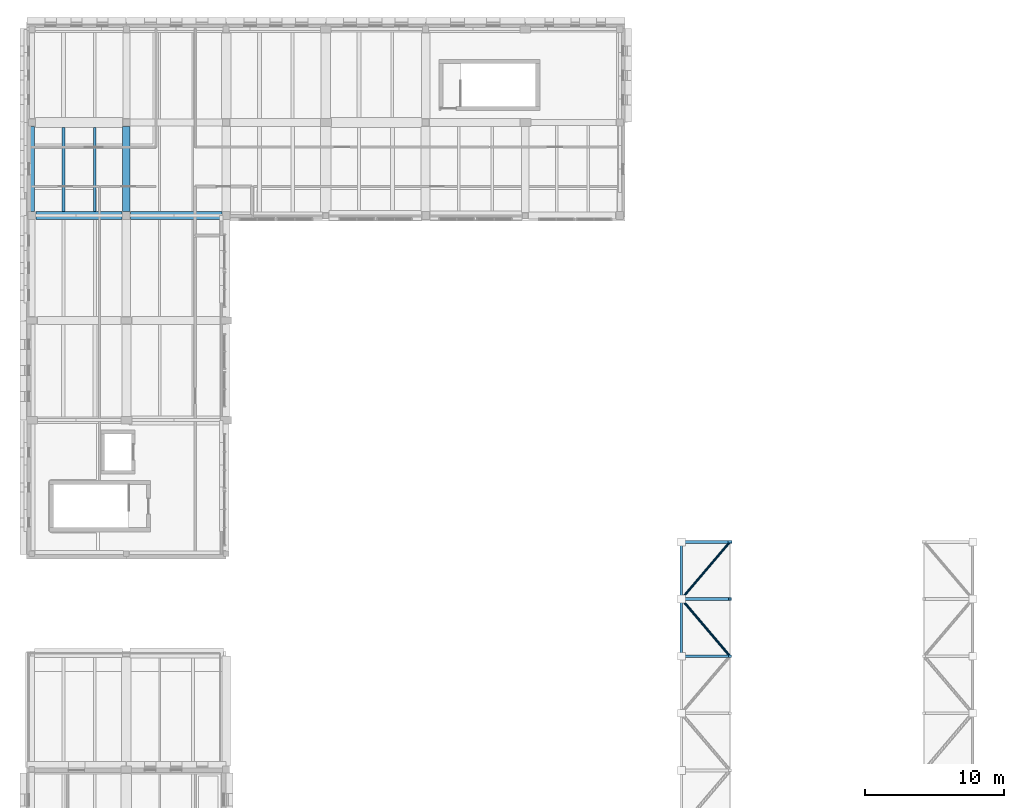
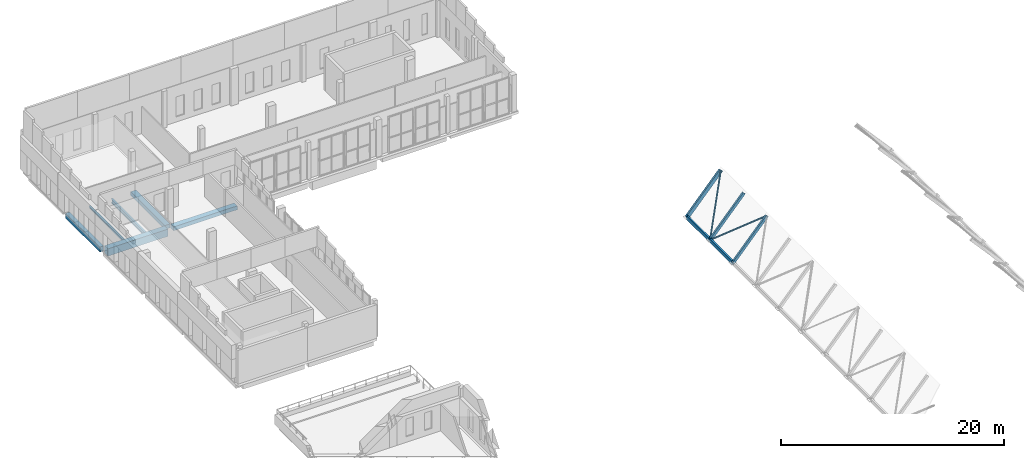
# One storey, part 10 of 34: 7 members, 6 beams.
"""IFC4 building model written with IfcOpenShell, lengths in metres."""

from ifc_helpers import new_model, si_unit, direction, frame, origin, origin_2d, place, context, subcontext, project, spatial, rectangle, hollow_rectangle, hollow_circle, i_section, extrude, material, material_profile, profile_set, type_object, element, save


model = new_model("IFC4")

# Units and contexts
model_context = context("Model", 3, precision=1e-05, world=origin(), true_north=direction((0.0, 1.0)))
body_context = subcontext(model_context, "Body", "Model", "MODEL_VIEW")
ifc_project = project(units=[si_unit("LENGTHUNIT", "METRE"), si_unit("AREAUNIT", "SQUARE_METRE"), si_unit("VOLUMEUNIT", "CUBIC_METRE"), si_unit("PLANEANGLEUNIT", "RADIAN"), si_unit("MASSUNIT", "GRAM", prefix="KILO")], contexts=[model_context])

# Site, building, storey
site_placement = place(None, origin())
site = spatial("IfcSite", under=ifc_project, at=site_placement, CompositionType="ELEMENT")
building_placement = place(site_placement, origin())
building = spatial("IfcBuilding", under=site, at=building_placement, Name="Vardoun Plaza Health Centre", CompositionType="ELEMENT")
storey_placement = place(building_placement, frame((0.0, 0.0, 12.89990234375)))
storey = spatial("IfcBuildingStorey", under=building, at=storey_placement, Name="L03", CompositionType="ELEMENT", Elevation=12.89990234375)

# Beams
ifc_material_1 = material(Name="Concrete C35/45", Category="concrete")
ifc_material_profile_1 = material_profile(ifc_material_1, rectangle(XDim=0.39990234375, YDim=0.550048828125, at=origin_2d()), Name="RC-BM 400x550")
ifc_profile_set_1 = profile_set([ifc_material_profile_1], Name="Concrete C35/45")
beam_type_1 = type_object("IfcBeamType", Name="B-09", PredefinedType="SPANDREL", material=ifc_profile_set_1)
beam_1_placement = place(storey_placement, frame((4.8798828125, 101.780029296875, -0.539794921875), z_axis=(0.0, 1.0, 0.0), x_axis=(-1.0, 0.0, 0.0)))
element("IfcBeam", 1, at=beam_1_placement, inside=storey, type_object=beam_type_1, Name="V3 L03 Beam B-V3-L03-Y28", PredefinedType="SPANDREL", context=body_context, shape_type="SweptSolid", body=[
    extrude(rectangle(XDim=0.39990234375, YDim=0.550048828125, at=origin_2d()), origin(), (0.0, 0.0, 1.0), 6.14501953125),
])
ifc_material_2 = material(Name="Concrete C35/45", Category="concrete")
ifc_material_profile_2 = material_profile(ifc_material_2, rectangle(XDim=0.550048828125, YDim=0.419921875, at=origin_2d()), Name="RC-BM 550x420")
ifc_profile_set_2 = profile_set([ifc_material_profile_2], Name="Concrete C35/45")
beam_type_2 = type_object("IfcBeamType", Name="B-03", PredefinedType="BEAM", material=ifc_profile_set_2)
beam_2_placement = place(storey_placement, frame((12.0, 101.47998046875, -0.474853515625), z_axis=(1.0, 0.0, 0.0), x_axis=(0.0, 1.0, 0.0)))
element("IfcBeam", 2, at=beam_2_placement, inside=storey, type_object=beam_type_2, Name="V3 L03 Beam B-V3-L03-X10", PredefinedType="BEAM", context=body_context, shape_type="SweptSolid", body=[
    extrude(rectangle(XDim=0.550048828125, YDim=0.419921875, at=origin_2d()), origin(), (0.0, 0.0, 1.0), 6.60009765625),
])
beam_3_placement = place(storey_placement, frame((11.699951171875, 101.780029296875, -0.474853515625), z_axis=(0.0, 1.0, 0.0), x_axis=(-1.0, 0.0, 0.0)))
element("IfcBeam", 3, at=beam_3_placement, inside=storey, type_object=beam_type_2, Name="V3 L03 Beam B-V3-L03-Y32", PredefinedType="BEAM", context=body_context, shape_type="SweptSolid", body=[
    extrude(rectangle(XDim=0.550048828125, YDim=0.419921875, at=origin_2d()), origin(), (0.0, 0.0, 1.0), 6.14501953125),
])
ifc_material_3 = material(Name="Concrete C40/50", Category="concrete")
ifc_material_profile_3 = material_profile(ifc_material_3, rectangle(XDim=0.60009765625, YDim=0.800048828125, at=origin_2d()), Name="RC-BM 600x800")
ifc_profile_set_3 = profile_set([ifc_material_profile_3], Name="Concrete C40/50")
beam_type_3 = type_object("IfcBeamType", Name="B-15", PredefinedType="JOIST", material=ifc_profile_set_3)
beam_4_placement = place(storey_placement, frame((5.179931640625, 101.47998046875, -0.664794921875), z_axis=(1.0, 0.0, 0.0), x_axis=(0.0, 1.0, 0.0)))
element("IfcBeam", 4, at=beam_4_placement, inside=storey, type_object=beam_type_3, Name="V3 L03 Beam B-V3-L03-X04", PredefinedType="JOIST", context=body_context, shape_type="SweptSolid", body=[
    extrude(rectangle(XDim=0.60009765625, YDim=0.800048828125, at=origin_2d()), origin(), (0.0, 0.0, 1.0), 6.219970703125),
])
ifc_material_4 = material(Name="Steel S355J2", Category="steel")
ifc_material_profile_4 = material_profile(ifc_material_4, i_section(OverallWidth=0.199951171875, OverallDepth=0.18994140625, WebThickness=0.006591796875, FlangeThickness=0.010009765625, FilletRadius=0.01806640625, at=origin_2d()), Name="HEA 200")
ifc_profile_set_4 = profile_set([ifc_material_profile_4], Name="Steel S355J2")
beam_type_4 = type_object("IfcBeamType", Name="SB-09", PredefinedType="BEAM", material=ifc_profile_set_4)
beam_5_placement = place(storey_placement, frame((7.153076171875, 101.780029296875, -0.35986328125), z_axis=(0.0, 1.0, 0.0), x_axis=(-1.0, 0.0, 0.0)))
element("IfcBeam", 5, at=beam_5_placement, inside=storey, type_object=beam_type_4, Name="V3 L03 Secondary Floor Beam SJ-V3-L03-03", PredefinedType="BEAM", context=body_context, shape_type="SweptSolid", body=[
    extrude(i_section(OverallWidth=0.199951171875, OverallDepth=0.18994140625, WebThickness=0.006591796875, FlangeThickness=0.010009765625, FilletRadius=0.01806640625, at=origin_2d()), origin(), (0.0, 0.0, 1.0), 6.070068359375),
])
ifc_material_5 = material(Name="Steel S355J2", Category="steel")
ifc_material_profile_5 = material_profile(ifc_material_5, i_section(OverallWidth=0.18994140625, OverallDepth=0.449951171875, WebThickness=0.009521484375, FlangeThickness=0.0146484375, FilletRadius=0.02099609375, at=origin_2d()), Name="IPE 450")
ifc_profile_set_5 = profile_set([ifc_material_profile_5], Name="Steel S355J2")
beam_type_5 = type_object("IfcBeamType", Name="SB-11", PredefinedType="BEAM", material=ifc_profile_set_5)
beam_6_placement = place(storey_placement, frame((9.427001953125, 101.780029296875, -0.489990234375), z_axis=(0.0, 1.0, 0.0), x_axis=(-1.0, 0.0, 0.0)))
element("IfcBeam", 6, at=beam_6_placement, inside=storey, type_object=beam_type_5, Name="V3 L03 Secondary Floor Beam SJ-V3-L03-07", PredefinedType="BEAM", context=body_context, shape_type="SweptSolid", body=[
    extrude(i_section(OverallWidth=0.18994140625, OverallDepth=0.449951171875, WebThickness=0.009521484375, FlangeThickness=0.0146484375, FilletRadius=0.02099609375, at=origin_2d()), origin(), (0.0, 0.0, 1.0), 6.070068359375),
])

# Members
ifc_material_6 = material(Name="Glulam GL28h", Category="wood")
ifc_material_profile_6 = material_profile(ifc_material_6, rectangle(XDim=0.179931640625, YDim=0.39990234375, at=origin_2d()), Name="GL28h 180x400")
ifc_profile_set_6 = profile_set([ifc_material_profile_6], Name="Glulam GL28h")
member_type_1 = type_object("IfcMemberType", Name="GP-02", PredefinedType="PURLIN", material=ifc_profile_set_6)
member_1_placement = place(storey_placement, frame((51.764892578125, 69.672119140625, 1.0126953125), z_axis=(0.0, 1.0, 0.0), x_axis=(-1.0, 0.0, 0.0)))
element("IfcMember", 7, at=member_1_placement, inside=storey, type_object=member_type_1, Name="Gridshell Glulam Purlin GP-02-09", PredefinedType="PURLIN", context=body_context, shape_type="SweptSolid", body=[
    extrude(rectangle(XDim=0.179931640625, YDim=0.39990234375, at=origin_2d()), origin(), (0.0, 0.0, 1.0), 4.123779296875),
])
member_2_placement = place(storey_placement, frame((51.764892578125, 73.7958984375, 1.0126953125), z_axis=(0.0, 1.0, 0.0), x_axis=(-1.0, 0.0, 0.0)))
element("IfcMember", 8, at=member_2_placement, inside=storey, type_object=member_type_1, Name="Gridshell Glulam Purlin GP-02-10", PredefinedType="PURLIN", context=body_context, shape_type="SweptSolid", body=[
    extrude(rectangle(XDim=0.179931640625, YDim=0.39990234375, at=origin_2d()), origin(), (0.0, 0.0, 1.0), 4.1240234375),
])
ifc_material_7 = material(Name="Steel S355J2H", Category="steel")
ifc_material_profile_7 = material_profile(ifc_material_7, hollow_rectangle(XDim=0.199951171875, YDim=0.39990234375, WallThickness=0.012451171875, at=origin_2d()), Name="RHS 400x200x12.5")
ifc_profile_set_7 = profile_set([ifc_material_profile_7], Name="Steel S355J2H")
member_type_2 = type_object("IfcMemberType", Name="GS-A1", PredefinedType="CHORD", material=ifc_profile_set_7)
member_3_placement = place(storey_placement, frame((51.764892578125, 77.919921875, 1.0126953125), z_axis=(0.664906955532, 0.0, 0.746926194805), x_axis=(0.0, 1.0, 0.0)))
element("IfcMember", 9, at=member_3_placement, inside=storey, type_object=member_type_2, Name="Gridshell Arch Rib GA-11-02", PredefinedType="CHORD", context=body_context, shape_type="SweptSolid", body=[
    extrude(hollow_rectangle(XDim=0.199951171875, YDim=0.39990234375, WallThickness=0.012451171875, at=origin_2d()), origin(), (0.0, 0.0, 1.0), 5.271484375),
])
ifc_material_8 = material(Name="Steel S355J2H", Category="steel")
ifc_material_profile_8 = material_profile(ifc_material_8, hollow_rectangle(XDim=0.199951171875, YDim=0.300048828125, WallThickness=0.012451171875, at=origin_2d()), Name="RHS 300x200x12.5")
ifc_profile_set_8 = profile_set([ifc_material_profile_8], Name="Steel S355J2H")
member_type_3 = type_object("IfcMemberType", Name="GS-A3", PredefinedType="CHORD", material=ifc_profile_set_8)
for number, where, z_axis, x_axis, name in (
    (10, (51.764892578125, 69.672119140625, 1.0126953125), (0.664906955532, 0.0, 0.746926194805), (0.0, 1.0, 0.0), "Gridshell Arch Rib GA-09-02"),
    (11, (51.764892578125, 73.7958984375, 1.0126953125), (0.664906955532, 0.0, 0.746926194805), (0.0, 1.0, 0.0), "Gridshell Arch Rib GA-10-02"),
):
    element("IfcMember", number, at=place(storey_placement, frame(where, z_axis=z_axis, x_axis=x_axis)), inside=storey, type_object=member_type_3, Name=name, PredefinedType="CHORD", context=body_context, shape_type="SweptSolid", body=[
        extrude(hollow_rectangle(XDim=0.199951171875, YDim=0.300048828125, WallThickness=0.012451171875, at=origin_2d()), origin(), (0.0, 0.0, 1.0), 5.271484375),
    ])
ifc_material_9 = material(Name="Steel S355J2H", Category="steel")
ifc_material_profile_9 = material_profile(ifc_material_9, hollow_circle(Radius=0.0888671875, WallThickness=0.008056640625, at=origin_2d()), Name="CHS 177.8x8.0")
ifc_profile_set_9 = profile_set([ifc_material_profile_9], Name="Steel S355J2H")
member_type_4 = type_object("IfcMemberType", Name="GS-D4", PredefinedType="BRACE", material=ifc_profile_set_9)
member_4_placement = place(storey_placement, frame((51.764892578125, 73.7958984375, 1.0126953125), z_axis=(0.523705524116, -0.616139166111, 0.588306936891), x_axis=(0.761947108776, 0.647639254082, 0.0)))
element("IfcMember", 12, at=member_4_placement, inside=storey, type_object=member_type_4, Name="Gridshell Diagonal GD-09-02", PredefinedType="BRACE", context=body_context, shape_type="SweptSolid", body=[
    extrude(hollow_circle(Radius=0.0888671875, WallThickness=0.008056640625, at=origin_2d()), origin(), (0.0, 0.0, 1.0), 6.69287109375),
])
ifc_material_10 = material(Name="Steel S355J2H", Category="steel")
ifc_material_profile_10 = material_profile(ifc_material_10, hollow_circle(Radius=0.084228515625, WallThickness=0.008056640625, at=origin_2d()), Name="CHS 168.3x8.0")
ifc_profile_set_10 = profile_set([ifc_material_profile_10], Name="Steel S355J2H")
member_type_5 = type_object("IfcMemberType", Name="GS-D5", PredefinedType="BRACE", material=ifc_profile_set_10)
member_5_placement = place(storey_placement, frame((51.764892578125, 73.7958984375, 1.0126953125), z_axis=(0.523693753813, 0.616161794903, 0.588293714669), x_axis=(-0.761966028439, 0.647616994453, 0.0)))
element("IfcMember", 13, at=member_5_placement, inside=storey, type_object=member_type_5, Name="Gridshell Diagonal GD-10-02", PredefinedType="BRACE", context=body_context, shape_type="SweptSolid", body=[
    extrude(hollow_circle(Radius=0.084228515625, WallThickness=0.008056640625, at=origin_2d()), origin(), (0.0, 0.0, 1.0), 6.693115234375),
])

save(model, "model.ifc")
